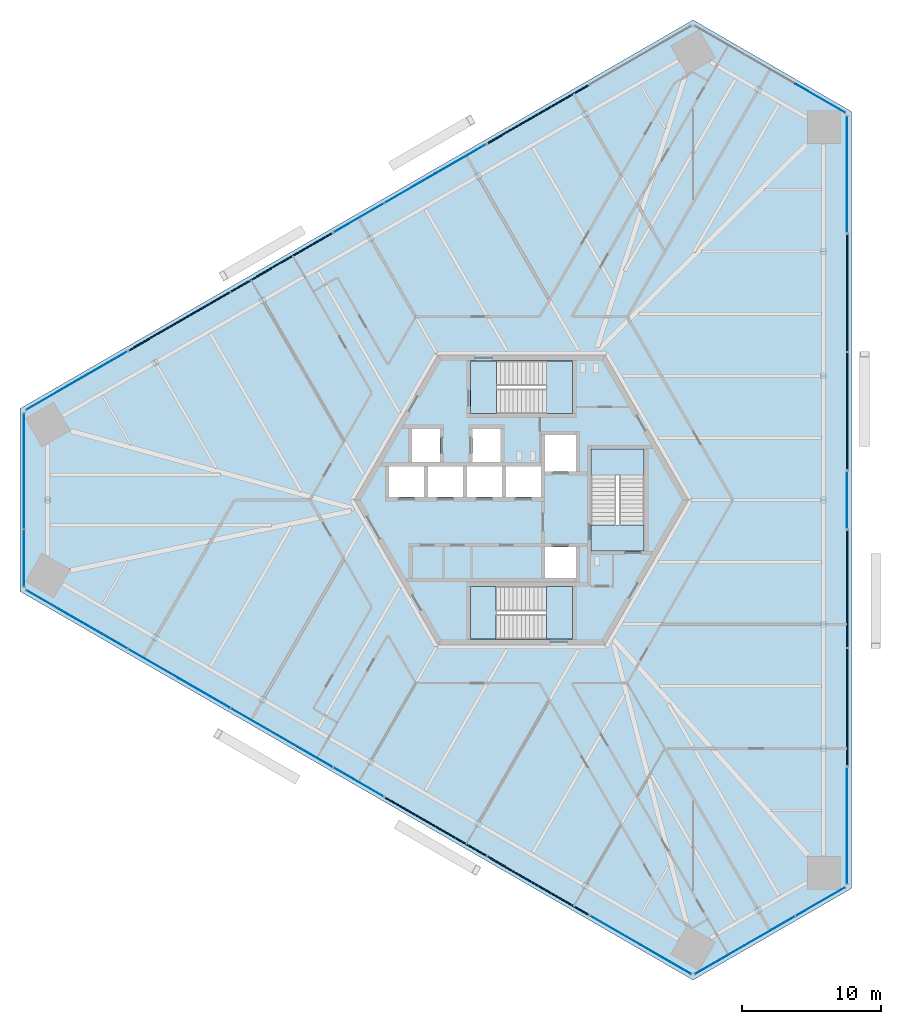
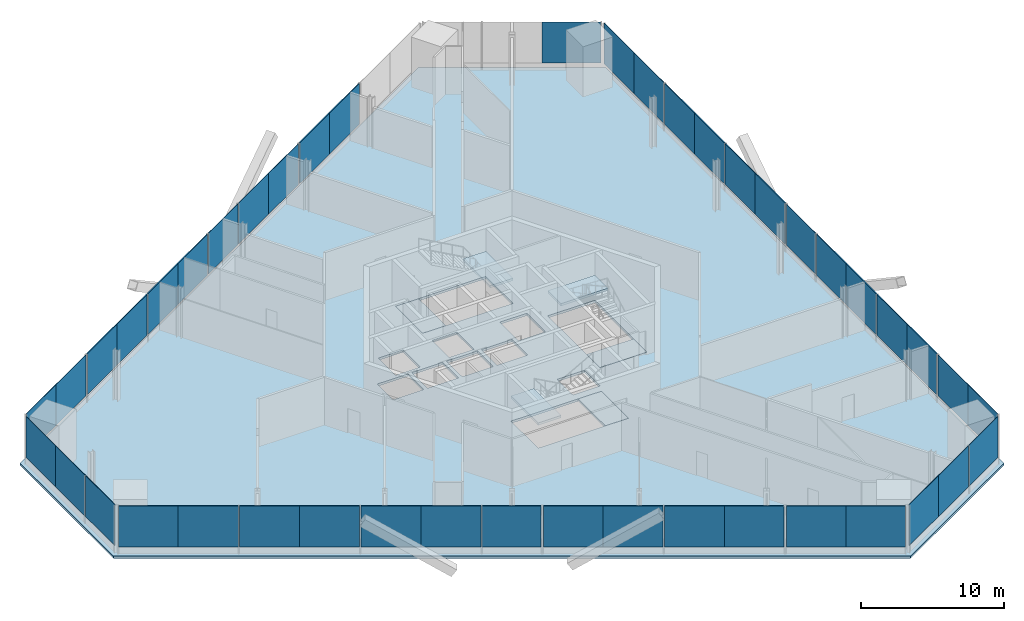
# One storey, part 9 of 16: 44 plates, 7 slabs, 18 elements without a shape of their own.
"""IFC4 building model written with IfcOpenShell, lengths in metres."""

from ifc_helpers import new_model, si_unit, direction, frame, origin, origin_2d, place, context, subcontext, project, spatial, polyline, rectangle, outline, extrude, source, transform, mapped, material, layer, layer_set, type_object, element, aggregate, save


model = new_model("IFC4")

# Units and contexts
model_context = context("Model", 3, precision=1e-05, world=origin(), true_north=direction((0.0, 1.0)))
body_context = subcontext(model_context, "Body", "Model", "MODEL_VIEW")
ifc_project = project(units=[si_unit("LENGTHUNIT", "METRE"), si_unit("AREAUNIT", "SQUARE_METRE"), si_unit("VOLUMEUNIT", "CUBIC_METRE"), si_unit("PLANEANGLEUNIT", "RADIAN"), si_unit("MASSUNIT", "GRAM", prefix="KILO")], contexts=[model_context])

# Site, building, storey
site_placement = place(None, origin())
site = spatial("IfcSite", under=ifc_project, at=site_placement, CompositionType="ELEMENT")
building_placement = place(site_placement, origin())
building = spatial("IfcBuilding", under=site, at=building_placement, Name="Triune Harvest Tower", CompositionType="ELEMENT")
storey_placement = place(building_placement, frame((0.0, 0.0, 37.5)))
storey = spatial("IfcBuildingStorey", under=building, at=storey_placement, Name="L08", CompositionType="ELEMENT", Elevation=37.5)

# Slab
ifc_material_1 = material(Name="Concrete 40 MPa", Category="concrete")
ifc_layer_1 = layer(ifc_material_1, 0.199951171875)
ifc_layer_set_1 = layer_set([ifc_layer_1], Name="Concrete 40 MPa")
slab_type_1 = type_object("IfcSlabType", Name="SL-3 Composite floor slab 200", PredefinedType="FLOOR", material=ifc_layer_set_1)
shared_shape_1 = source(origin(), body_context, "Body", "SweptSolid", [
    extrude(outline(polyline([(23.67138671875, -27.8798828125), (23.67138671875, 27.8798828125), (12.30908203125, 34.43994140625), (-35.98046875, 6.56005859375), (-35.98046875, -6.56005859375), (12.30908203125, -34.43994140625), (23.67138671875, -27.8798828125)]), holes=[polyline([(-7.0, 0.2099609375), (-7.0, 2.409912109375), (-9.5, 2.409912109375), (-9.5, 0.2099609375), (-7.0, 0.2099609375)]), polyline([(-4.199951171875, 0.2099609375), (-4.199951171875, 2.409912109375), (-6.699951171875, 2.409912109375), (-6.699951171875, 0.2099609375), (-4.199951171875, 0.2099609375)]), polyline([(-1.39990234375, 0.2099609375), (-1.39990234375, 2.409912109375), (-3.89990234375, 2.409912109375), (-3.89990234375, 0.2099609375), (-1.39990234375, 0.2099609375)]), polyline([(1.39990234375, 0.2099609375), (1.39990234375, 2.409912109375), (-1.10009765625, 2.409912109375), (-1.10009765625, 0.2099609375), (1.39990234375, 0.2099609375)]), polyline([(3.89990234375, 2.06005859375), (3.89990234375, 4.659912109375), (1.699951171875, 4.659912109375), (1.699951171875, 2.06005859375), (3.89990234375, 2.06005859375)]), polyline([(3.89990234375, -5.590087890625), (3.89990234375, -3.389892578125), (1.699951171875, -3.389892578125), (1.699951171875, -5.590087890625), (3.89990234375, -5.590087890625)]), polyline([(-5.85009765625, 2.7099609375), (-5.85009765625, 5.110107421875), (-7.85009765625, 5.110107421875), (-7.85009765625, 2.7099609375), (-5.85009765625, 2.7099609375)]), polyline([(-1.5, 2.7099609375), (-1.5, 5.110107421875), (-3.5, 5.110107421875), (-3.5, 2.7099609375), (-1.5, 2.7099609375)]), polyline([(3.64990234375, 6.18994140625), (3.64990234375, 9.989990234375), (-3.64990234375, 9.989990234375), (-3.64990234375, 6.18994140625), (3.64990234375, 6.18994140625)]), polyline([(3.64990234375, -9.989990234375), (3.64990234375, -6.18994140625), (-3.64990234375, -6.18994140625), (-3.64990234375, -9.989990234375), (3.64990234375, -9.989990234375)]), polyline([(8.800048828125, -3.64990234375), (8.800048828125, 3.64990234375), (5.0, 3.64990234375), (5.0, -3.64990234375), (8.800048828125, -3.64990234375)])]), origin(), (0.0, 0.0, 1.0), 0.199951171875),
])
slab_1_placement = place(storey_placement, frame((0.0, 0.0, -0.199951171875)))
element("IfcSlab", 1, at=slab_1_placement, inside=storey, type_object=slab_type_1, Name="slab/L08/1", PredefinedType="FLOOR", context=body_context, shape_type="MappedRepresentation", body=[
    mapped(shared_shape_1, transform((0.0, 0.0, 0.0), scale=1.0)),
])

# Stair, slabs
ifc_material_2 = material(Name="Concrete 40 MPa", Category="concrete")
stair_type = type_object("IfcStairType", Name="Exit stair 1800 half turn", PredefinedType="HALF_TURN_STAIR", material=ifc_material_2)
stair_1_placement = place(storey_placement, origin())
stair_1 = element("IfcStair", 2, at=stair_1_placement, inside=storey, type_object=stair_type, Name="Exit stair north", PredefinedType="HALF_TURN_STAIR")
ifc_material_3 = material(Name="Concrete 40 MPa", Category="concrete")
ifc_layer_2 = layer(ifc_material_3, 0.199951171875)
ifc_layer_set_2 = layer_set([ifc_layer_2], Name="Concrete 40 MPa")
slab_type_2 = type_object("IfcSlabType", Name="Stair landing 200", PredefinedType="LANDING", material=ifc_layer_set_2)
shared_shape_2 = source(origin(), body_context, "Body", "SweptSolid", [
    extrude(outline(polyline([(-3.64990234375, 6.18994140625), (-1.780029296875, 6.18994140625), (-1.780029296875, 9.989990234375), (-3.64990234375, 9.989990234375), (-3.64990234375, 6.18994140625)])), origin(), (0.0, 0.0, 1.0), 0.199951171875),
])
slab_2_placement = place(storey_placement, frame((0.0, 0.0, -0.199951171875)))
slab_2 = element("IfcSlab", 3, at=slab_2_placement, type_object=slab_type_2, Name="ST-1 landing 1", PredefinedType="LANDING", context=body_context, shape_type="MappedRepresentation", body=[
    mapped(shared_shape_2, transform((0.0, 0.0, 0.0), scale=1.0)),
])
shared_shape_3 = source(origin(), body_context, "Body", "SweptSolid", [
    extrude(outline(polyline([(1.81005859375, 6.18994140625), (3.64990234375, 6.18994140625), (3.64990234375, 9.989990234375), (1.81005859375, 9.989990234375), (1.81005859375, 6.18994140625)])), origin(), (0.0, 0.0, 1.0), 0.199951171875),
])
slab_3_placement = place(storey_placement, frame((0.0, 0.0, 1.949951171875)))
slab_3 = element("IfcSlab", 4, at=slab_3_placement, type_object=slab_type_2, Name="ST-1 landing 2", PredefinedType="LANDING", context=body_context, shape_type="MappedRepresentation", body=[
    mapped(shared_shape_3, transform((0.0, 0.0, 0.0), scale=1.0)),
])
aggregate(stair_1, [slab_2, slab_3])

stair_2_placement = place(storey_placement, origin())
stair_2 = element("IfcStair", 5, at=stair_2_placement, inside=storey, type_object=stair_type, Name="Exit stair south", PredefinedType="HALF_TURN_STAIR")
shared_shape_4 = source(origin(), body_context, "Body", "SweptSolid", [
    extrude(outline(polyline([(3.64990234375, -6.18994140625), (1.780029296875, -6.18994140625), (1.780029296875, -9.989990234375), (3.64990234375, -9.989990234375), (3.64990234375, -6.18994140625)])), origin(), (0.0, 0.0, 1.0), 0.199951171875),
])
slab_4_placement = place(storey_placement, frame((0.0, 0.0, -0.199951171875)))
slab_4 = element("IfcSlab", 6, at=slab_4_placement, type_object=slab_type_2, Name="ST-2 landing 1", PredefinedType="LANDING", context=body_context, shape_type="MappedRepresentation", body=[
    mapped(shared_shape_4, transform((0.0, 0.0, 0.0), scale=1.0)),
])
shared_shape_5 = source(origin(), body_context, "Body", "SweptSolid", [
    extrude(outline(polyline([(-1.81005859375, -6.18994140625), (-3.64990234375, -6.18994140625), (-3.64990234375, -9.989990234375), (-1.81005859375, -9.989990234375), (-1.81005859375, -6.18994140625)])), origin(), (0.0, 0.0, 1.0), 0.199951171875),
])
slab_5_placement = place(storey_placement, frame((0.0, 0.0, 1.949951171875)))
slab_5 = element("IfcSlab", 7, at=slab_5_placement, type_object=slab_type_2, Name="ST-2 landing 2", PredefinedType="LANDING", context=body_context, shape_type="MappedRepresentation", body=[
    mapped(shared_shape_5, transform((0.0, 0.0, 0.0), scale=1.0)),
])
aggregate(stair_2, [slab_4, slab_5])

stair_3_placement = place(storey_placement, origin())
stair_3 = element("IfcStair", 8, at=stair_3_placement, inside=storey, type_object=stair_type, Name="Exit stair east", PredefinedType="HALF_TURN_STAIR")
shared_shape_6 = source(origin(), body_context, "Body", "SweptSolid", [
    extrude(outline(polyline([(8.800048828125, -3.64990234375), (8.800048828125, -1.780029296875), (5.0, -1.780029296875), (5.0, -3.64990234375), (8.800048828125, -3.64990234375)])), origin(), (0.0, 0.0, 1.0), 0.199951171875),
])
slab_6_placement = place(storey_placement, frame((0.0, 0.0, -0.199951171875)))
slab_6 = element("IfcSlab", 9, at=slab_6_placement, type_object=slab_type_2, Name="ST-3 landing 1", PredefinedType="LANDING", context=body_context, shape_type="MappedRepresentation", body=[
    mapped(shared_shape_6, transform((0.0, 0.0, 0.0), scale=1.0)),
])
shared_shape_7 = source(origin(), body_context, "Body", "SweptSolid", [
    extrude(outline(polyline([(8.800048828125, 1.81005859375), (8.800048828125, 3.64990234375), (5.0, 3.64990234375), (5.0, 1.81005859375), (8.800048828125, 1.81005859375)])), origin(), (0.0, 0.0, 1.0), 0.199951171875),
])
slab_7_placement = place(storey_placement, frame((0.0, 0.0, 1.949951171875)))
slab_7 = element("IfcSlab", 10, at=slab_7_placement, type_object=slab_type_2, Name="ST-3 landing 2", PredefinedType="LANDING", context=body_context, shape_type="MappedRepresentation", body=[
    mapped(shared_shape_7, transform((0.0, 0.0, 0.0), scale=1.0)),
])
aggregate(stair_3, [slab_6, slab_7])

# Curtain wall, plate
ifc_material_4 = material(Name="Aluminium bronze anodised", Category="aluminium")
curtain_wall_type_1 = type_object("IfcCurtainWallType", Name="CW-3 Farm floor curtain wall", PredefinedType="NOTDEFINED", material=ifc_material_4)
curtain_wall_1_placement = place(storey_placement, origin())
curtain_wall_1 = element("IfcCurtainWall", 11, at=curtain_wall_1_placement, inside=storey, type_object=curtain_wall_type_1, Name="CW-3 B1-F2 L08 run 1")
ifc_material_5 = material(Name="Glass", Category="glass")
ifc_layer_3 = layer(ifc_material_5, 0.035888671875)
ifc_layer_set_3 = layer_set([ifc_layer_3], Name="Glass")
plate_type_1 = type_object("IfcPlateType", Name="GL-3 panel 36", PredefinedType="CURTAIN_PANEL", material=ifc_layer_set_3)
shared_shape_8 = source(origin(), body_context, "Body", "SweptSolid", [
    extrude(rectangle(XDim=4.117919921875, YDim=0.035888671875, at=origin_2d()), origin(), (0.0, 0.0, 1.0), 3.5),
])
plate_1_placement = place(storey_placement, frame((21.441162109375, 28.8212890625, 0.60009765625), z_axis=(0.0, 0.0, 1.0), x_axis=(-0.866026145592, 0.499998715149, 0.0)))
plate_1 = element("IfcPlate", 12, at=plate_1_placement, type_object=plate_type_1, Name="CW-3 panel B1-F2 1.1", PredefinedType="CURTAIN_PANEL", context=body_context, shape_type="MappedRepresentation", body=[
    mapped(shared_shape_8, transform((0.0, 0.0, 0.0), scale=1.0)),
])
aggregate(curtain_wall_1, [plate_1])

curtain_wall_2_placement = place(storey_placement, origin())
curtain_wall_2 = element("IfcCurtainWall", 13, at=curtain_wall_2_placement, inside=storey, type_object=curtain_wall_type_1, Name="CW-3 B1-F4 L08 run 1")
plate_2_placement = place(storey_placement, frame((-35.680419921875, 4.157958984375, 0.60009765625), z_axis=(0.0, 0.0, 1.0), x_axis=(0.0, -1.0, 0.0)))
plate_2 = element("IfcPlate", 14, at=plate_2_placement, type_object=plate_type_1, Name="CW-3 panel B1-F4 1.1", PredefinedType="CURTAIN_PANEL", context=body_context, shape_type="MappedRepresentation", body=[
    mapped(shared_shape_8, transform((0.0, 0.0, 0.0), scale=1.0)),
])

curtain_wall_3_placement = place(storey_placement, origin())
curtain_wall_3 = element("IfcCurtainWall", 15, at=curtain_wall_3_placement, inside=storey, type_object=curtain_wall_type_1, Name="CW-3 B1-F6 L08 run 1")
plate_3_placement = place(storey_placement, frame((14.239501953125, -32.979248046875, 0.60009765625), z_axis=(0.0, 0.0, 1.0), x_axis=(0.866026145592, 0.499998715149, 0.0)))
plate_3 = element("IfcPlate", 16, at=plate_3_placement, type_object=plate_type_1, Name="CW-3 panel B1-F6 1.1", PredefinedType="CURTAIN_PANEL", context=body_context, shape_type="MappedRepresentation", body=[
    mapped(shared_shape_8, transform((0.0, 0.0, 0.0), scale=1.0)),
])

# Plate
shared_shape_9 = source(origin(), body_context, "Body", "SweptSolid", [
    extrude(rectangle(XDim=4.157958984375, YDim=0.035888671875, at=origin_2d()), origin(), (0.0, 0.0, 1.0), 3.5),
])
plate_4_placement = place(storey_placement, frame((-35.680419921875, 0.02001953125, 0.60009765625), z_axis=(0.0, 0.0, 1.0), x_axis=(0.0, -1.0, 0.0)))
plate_4 = element("IfcPlate", 17, at=plate_4_placement, type_object=plate_type_1, Name="CW-3 panel B1-F4 1.2", PredefinedType="CURTAIN_PANEL", context=body_context, shape_type="MappedRepresentation", body=[
    mapped(shared_shape_9, transform((0.0, 0.0, 0.0), scale=1.0)),
])

plate_5_placement = place(storey_placement, frame((17.822998046875, -30.91015625, 0.60009765625), z_axis=(0.0, 0.0, 1.0), x_axis=(0.866026145592, 0.499998715149, 0.0)))
plate_5 = element("IfcPlate", 18, at=plate_5_placement, type_object=plate_type_1, Name="CW-3 panel B1-F6 1.2", PredefinedType="CURTAIN_PANEL", context=body_context, shape_type="MappedRepresentation", body=[
    mapped(shared_shape_9, transform((0.0, 0.0, 0.0), scale=1.0)),
])

shared_shape_10 = source(origin(), body_context, "Body", "SweptSolid", [
    extrude(rectangle(XDim=4.077880859375, YDim=0.035888671875, at=origin_2d()), origin(), (0.0, 0.0, 1.0), 3.5),
])
plate_6_placement = place(storey_placement, frame((-35.680419921875, -4.177978515625, 0.60009765625), z_axis=(0.0, 0.0, 1.0), x_axis=(0.0, -1.0, 0.0)))
plate_6 = element("IfcPlate", 19, at=plate_6_placement, type_object=plate_type_1, Name="CW-3 panel B1-F4 1.3", PredefinedType="CURTAIN_PANEL", context=body_context, shape_type="MappedRepresentation", body=[
    mapped(shared_shape_10, transform((0.0, 0.0, 0.0), scale=1.0)),
])

aggregate(curtain_wall_2, [plate_2, plate_4, plate_6])

plate_7_placement = place(storey_placement, frame((21.45849609375, -28.811279296875, 0.60009765625), z_axis=(0.0, 0.0, 1.0), x_axis=(0.866026145592, 0.499998715149, 0.0)))
plate_7 = element("IfcPlate", 20, at=plate_7_placement, type_object=plate_type_1, Name="CW-3 panel B1-F6 1.3", PredefinedType="CURTAIN_PANEL", context=body_context, shape_type="MappedRepresentation", body=[
    mapped(shared_shape_10, transform((0.0, 0.0, 0.0), scale=1.0)),
])

aggregate(curtain_wall_3, [plate_3, plate_5, plate_7])

# Curtain wall, plates
ifc_material_6 = material(Name="Aluminium bronze anodised", Category="aluminium")
curtain_wall_type_2 = type_object("IfcCurtainWallType", Name="CW-8 Farm floor curtain wall with insulated spandrel infill", PredefinedType="NOTDEFINED", material=ifc_material_6)
curtain_wall_4_placement = place(storey_placement, origin())
curtain_wall_4 = element("IfcCurtainWall", 21, at=curtain_wall_4_placement, inside=storey, type_object=curtain_wall_type_2, Name="CW-8 B1-F1 L08 run 1001")
ifc_material_7 = material(Name="Insulated spandrel panel, bronze aluminium pan", Category="aluminium")
ifc_layer_4 = layer(ifc_material_7, 0.080078125)
ifc_layer_set_4 = layer_set([ifc_layer_4], Name="Insulated spandrel panel, bronze aluminium pan")
plate_type_2 = type_object("IfcPlateType", Name="SP-1 insulated spandrel panel 80", PredefinedType="CURTAIN_PANEL", material=ifc_layer_set_4)
shared_shape_11 = source(origin(), body_context, "Body", "SweptSolid", [
    extrude(rectangle(XDim=4.168701171875, YDim=0.080078125, at=origin_2d()), origin(), (0.0, 0.0, 1.0), 3.5),
])
plate_8_placement = place(storey_placement, frame((23.371337890625, -16.954833984375, 0.60009765625), z_axis=(0.0, 0.0, 1.0), x_axis=(0.0, 1.0, 0.0)))
plate_8 = element("IfcPlate", 22, at=plate_8_placement, type_object=plate_type_2, Name="CW-8 panel B1-F1 1001.1", PredefinedType="CURTAIN_PANEL", context=body_context, shape_type="MappedRepresentation", body=[
    mapped(shared_shape_11, transform((0.0, 0.0, 0.0), scale=1.0)),
])
plate_9_placement = place(storey_placement, frame((23.371337890625, -4.288818359375, 0.60009765625), z_axis=(0.0, 0.0, 1.0), x_axis=(0.0, 1.0, 0.0)))
plate_9 = element("IfcPlate", 23, at=plate_9_placement, type_object=plate_type_2, Name="CW-8 panel B1-F1 1001.4", PredefinedType="CURTAIN_PANEL", context=body_context, shape_type="MappedRepresentation", body=[
    mapped(shared_shape_11, transform((0.0, 0.0, 0.0), scale=1.0)),
])

curtain_wall_5_placement = place(storey_placement, origin())
curtain_wall_5 = element("IfcCurtainWall", 24, at=curtain_wall_5_placement, inside=storey, type_object=curtain_wall_type_2, Name="CW-8 B1-F1 L08 run 3001")
plate_10_placement = place(storey_placement, frame((23.371337890625, 4.288818359375, 0.60009765625), z_axis=(0.0, 0.0, 1.0), x_axis=(0.0, 1.0, 0.0)))
plate_10 = element("IfcPlate", 25, at=plate_10_placement, type_object=plate_type_2, Name="CW-8 panel B1-F1 3001.1", PredefinedType="CURTAIN_PANEL", context=body_context, shape_type="MappedRepresentation", body=[
    mapped(shared_shape_11, transform((0.0, 0.0, 0.0), scale=1.0)),
])
plate_11_placement = place(storey_placement, frame((23.371337890625, 16.954833984375, 0.60009765625), z_axis=(0.0, 0.0, 1.0), x_axis=(0.0, 1.0, 0.0)))
plate_11 = element("IfcPlate", 26, at=plate_11_placement, type_object=plate_type_2, Name="CW-8 panel B1-F1 3001.4", PredefinedType="CURTAIN_PANEL", context=body_context, shape_type="MappedRepresentation", body=[
    mapped(shared_shape_11, transform((0.0, 0.0, 0.0), scale=1.0)),
])

curtain_wall_6_placement = place(storey_placement, origin())
curtain_wall_6 = element("IfcCurtainWall", 27, at=curtain_wall_6_placement, inside=storey, type_object=curtain_wall_type_2, Name="CW-8 B1-F3 L08 run 1001")
plate_12_placement = place(storey_placement, frame((2.997802734375, 28.7177734375, 0.60009765625), z_axis=(0.0, 0.0, 1.0), x_axis=(-0.866021359287, -0.500007005209, 0.0)))
plate_12 = element("IfcPlate", 28, at=plate_12_placement, type_object=plate_type_2, Name="CW-8 panel B1-F3 1001.1", PredefinedType="CURTAIN_PANEL", context=body_context, shape_type="MappedRepresentation", body=[
    mapped(shared_shape_11, transform((0.0, 0.0, 0.0), scale=1.0)),
])
plate_13_placement = place(storey_placement, frame((-0.612548828125, 26.63330078125, 0.60009765625), z_axis=(0.0, 0.0, 1.0), x_axis=(-0.866021359287, -0.500007005209, 0.0)))
plate_13 = element("IfcPlate", 29, at=plate_13_placement, type_object=plate_type_2, Name="CW-8 panel B1-F3 1001.2", PredefinedType="CURTAIN_PANEL", context=body_context, shape_type="MappedRepresentation", body=[
    mapped(shared_shape_11, transform((0.0, 0.0, 0.0), scale=1.0)),
])
aggregate(curtain_wall_6, [plate_12, plate_13])

curtain_wall_7_placement = place(storey_placement, origin())
curtain_wall_7 = element("IfcCurtainWall", 30, at=curtain_wall_7_placement, inside=storey, type_object=curtain_wall_type_2, Name="CW-8 B1-F3 L08 run 3001")
plate_14_placement = place(storey_placement, frame((-15.39990234375, 18.095703125, 0.60009765625), z_axis=(0.0, 0.0, 1.0), x_axis=(-0.866023907196, -0.500002592159, 0.0)))
plate_14 = element("IfcPlate", 31, at=plate_14_placement, type_object=plate_type_2, Name="CW-8 panel B1-F3 3001.1", PredefinedType="CURTAIN_PANEL", context=body_context, shape_type="MappedRepresentation", body=[
    mapped(shared_shape_11, transform((0.0, 0.0, 0.0), scale=1.0)),
])
plate_15_placement = place(storey_placement, frame((-26.369140625, 11.7626953125, 0.60009765625), z_axis=(0.0, 0.0, 1.0), x_axis=(-0.866023907196, -0.500002592159, 0.0)))
plate_15 = element("IfcPlate", 32, at=plate_15_placement, type_object=plate_type_2, Name="CW-8 panel B1-F3 3001.4", PredefinedType="CURTAIN_PANEL", context=body_context, shape_type="MappedRepresentation", body=[
    mapped(shared_shape_11, transform((0.0, 0.0, 0.0), scale=1.0)),
])

curtain_wall_8_placement = place(storey_placement, origin())
curtain_wall_8 = element("IfcCurtainWall", 33, at=curtain_wall_8_placement, inside=storey, type_object=curtain_wall_type_2, Name="CW-8 B1-F5 L08 run 1001")
plate_16_placement = place(storey_placement, frame((-7.971435546875, -22.384521484375, 0.60009765625), z_axis=(0.0, 0.0, 1.0), x_axis=(0.866023907196, -0.500002592159, 0.0)))
plate_16 = element("IfcPlate", 34, at=plate_16_placement, type_object=plate_type_2, Name="CW-8 panel B1-F5 1001.1", PredefinedType="CURTAIN_PANEL", context=body_context, shape_type="MappedRepresentation", body=[
    mapped(shared_shape_11, transform((0.0, 0.0, 0.0), scale=1.0)),
])
plate_17_placement = place(storey_placement, frame((2.997802734375, -28.7177734375, 0.60009765625), z_axis=(0.0, 0.0, 1.0), x_axis=(0.866023907196, -0.500002592159, 0.0)))
plate_17 = element("IfcPlate", 35, at=plate_17_placement, type_object=plate_type_2, Name="CW-8 panel B1-F5 1001.4", PredefinedType="CURTAIN_PANEL", context=body_context, shape_type="MappedRepresentation", body=[
    mapped(shared_shape_11, transform((0.0, 0.0, 0.0), scale=1.0)),
])

# Plate
shared_shape_12 = source(origin(), body_context, "Body", "SweptSolid", [
    extrude(rectangle(XDim=4.208740234375, YDim=0.080078125, at=origin_2d()), origin(), (0.0, 0.0, 1.0), 3.5),
])
plate_18_placement = place(storey_placement, frame((23.371337890625, -12.76611328125, 0.60009765625), z_axis=(0.0, 0.0, 1.0), x_axis=(0.0, 1.0, 0.0)))
plate_18 = element("IfcPlate", 36, at=plate_18_placement, type_object=plate_type_2, Name="CW-8 panel B1-F1 1001.2", PredefinedType="CURTAIN_PANEL", context=body_context, shape_type="MappedRepresentation", body=[
    mapped(shared_shape_12, transform((0.0, 0.0, 0.0), scale=1.0)),
])

plate_19_placement = place(storey_placement, frame((23.371337890625, -8.4775390625, 0.60009765625), z_axis=(0.0, 0.0, 1.0), x_axis=(0.0, 1.0, 0.0)))
plate_19 = element("IfcPlate", 37, at=plate_19_placement, type_object=plate_type_2, Name="CW-8 panel B1-F1 1001.3", PredefinedType="CURTAIN_PANEL", context=body_context, shape_type="MappedRepresentation", body=[
    mapped(shared_shape_12, transform((0.0, 0.0, 0.0), scale=1.0)),
])

aggregate(curtain_wall_4, [plate_8, plate_18, plate_19, plate_9])

plate_20_placement = place(storey_placement, frame((23.371337890625, 8.4775390625, 0.60009765625), z_axis=(0.0, 0.0, 1.0), x_axis=(0.0, 1.0, 0.0)))
plate_20 = element("IfcPlate", 38, at=plate_20_placement, type_object=plate_type_2, Name="CW-8 panel B1-F1 3001.2", PredefinedType="CURTAIN_PANEL", context=body_context, shape_type="MappedRepresentation", body=[
    mapped(shared_shape_12, transform((0.0, 0.0, 0.0), scale=1.0)),
])

plate_21_placement = place(storey_placement, frame((23.371337890625, 12.76611328125, 0.60009765625), z_axis=(0.0, 0.0, 1.0), x_axis=(0.0, 1.0, 0.0)))
plate_21 = element("IfcPlate", 39, at=plate_21_placement, type_object=plate_type_2, Name="CW-8 panel B1-F1 3001.3", PredefinedType="CURTAIN_PANEL", context=body_context, shape_type="MappedRepresentation", body=[
    mapped(shared_shape_12, transform((0.0, 0.0, 0.0), scale=1.0)),
])

aggregate(curtain_wall_5, [plate_10, plate_20, plate_21, plate_11])

plate_22_placement = place(storey_placement, frame((-19.02734375, 16.00146484375, 0.60009765625), z_axis=(0.0, 0.0, 1.0), x_axis=(-0.866023907196, -0.500002592159, 0.0)))
plate_22 = element("IfcPlate", 40, at=plate_22_placement, type_object=plate_type_2, Name="CW-8 panel B1-F3 3001.2", PredefinedType="CURTAIN_PANEL", context=body_context, shape_type="MappedRepresentation", body=[
    mapped(shared_shape_12, transform((0.0, 0.0, 0.0), scale=1.0)),
])

plate_23_placement = place(storey_placement, frame((-22.741455078125, 13.857177734375, 0.60009765625), z_axis=(0.0, 0.0, 1.0), x_axis=(-0.866023907196, -0.500002592159, 0.0)))
plate_23 = element("IfcPlate", 41, at=plate_23_placement, type_object=plate_type_2, Name="CW-8 panel B1-F3 3001.3", PredefinedType="CURTAIN_PANEL", context=body_context, shape_type="MappedRepresentation", body=[
    mapped(shared_shape_12, transform((0.0, 0.0, 0.0), scale=1.0)),
])

aggregate(curtain_wall_7, [plate_14, plate_22, plate_23, plate_15])

plate_24_placement = place(storey_placement, frame((-4.343994140625, -24.47900390625, 0.60009765625), z_axis=(0.0, 0.0, 1.0), x_axis=(0.866023907196, -0.500002592159, 0.0)))
plate_24 = element("IfcPlate", 42, at=plate_24_placement, type_object=plate_type_2, Name="CW-8 panel B1-F5 1001.2", PredefinedType="CURTAIN_PANEL", context=body_context, shape_type="MappedRepresentation", body=[
    mapped(shared_shape_12, transform((0.0, 0.0, 0.0), scale=1.0)),
])

plate_25_placement = place(storey_placement, frame((-0.6298828125, -26.623291015625, 0.60009765625), z_axis=(0.0, 0.0, 1.0), x_axis=(0.866023907196, -0.500002592159, 0.0)))
plate_25 = element("IfcPlate", 43, at=plate_25_placement, type_object=plate_type_2, Name="CW-8 panel B1-F5 1001.3", PredefinedType="CURTAIN_PANEL", context=body_context, shape_type="MappedRepresentation", body=[
    mapped(shared_shape_12, transform((0.0, 0.0, 0.0), scale=1.0)),
])

aggregate(curtain_wall_8, [plate_16, plate_24, plate_25, plate_17])

# Curtain wall, plates
curtain_wall_9_placement = place(storey_placement, origin())
curtain_wall_9 = element("IfcCurtainWall", 44, at=curtain_wall_9_placement, inside=storey, type_object=curtain_wall_type_1, Name="CW-3 B1-F1 L08 run 1")
shared_shape_13 = source(origin(), body_context, "Body", "SweptSolid", [
    extrude(rectangle(XDim=4.168701171875, YDim=0.035888671875, at=origin_2d()), origin(), (0.0, 0.0, 1.0), 3.5),
])
plate_26_placement = place(storey_placement, frame((23.371337890625, -25.452392578125, 0.60009765625), z_axis=(0.0, 0.0, 1.0), x_axis=(0.0, 1.0, 0.0)))
plate_26 = element("IfcPlate", 45, at=plate_26_placement, type_object=plate_type_1, Name="CW-3 panel B1-F1 1.1", PredefinedType="CURTAIN_PANEL", context=body_context, shape_type="MappedRepresentation", body=[
    mapped(shared_shape_13, transform((0.0, 0.0, 0.0), scale=1.0)),
])
plate_27_placement = place(storey_placement, frame((23.371337890625, -21.28369140625, 0.60009765625), z_axis=(0.0, 0.0, 1.0), x_axis=(0.0, 1.0, 0.0)))
plate_27 = element("IfcPlate", 46, at=plate_27_placement, type_object=plate_type_1, Name="CW-3 panel B1-F1 1.2", PredefinedType="CURTAIN_PANEL", context=body_context, shape_type="MappedRepresentation", body=[
    mapped(shared_shape_13, transform((0.0, 0.0, 0.0), scale=1.0)),
])
aggregate(curtain_wall_9, [plate_26, plate_27])

curtain_wall_10_placement = place(storey_placement, origin())
curtain_wall_10 = element("IfcCurtainWall", 47, at=curtain_wall_10_placement, inside=storey, type_object=curtain_wall_type_1, Name="CW-3 B1-F1 L08 run 4001")
plate_28_placement = place(storey_placement, frame((23.371337890625, 21.28369140625, 0.60009765625), z_axis=(0.0, 0.0, 1.0), x_axis=(0.0, 1.0, 0.0)))
plate_28 = element("IfcPlate", 48, at=plate_28_placement, type_object=plate_type_1, Name="CW-3 panel B1-F1 4001.1", PredefinedType="CURTAIN_PANEL", context=body_context, shape_type="MappedRepresentation", body=[
    mapped(shared_shape_13, transform((0.0, 0.0, 0.0), scale=1.0)),
])
plate_29_placement = place(storey_placement, frame((23.371337890625, 25.452392578125, 0.60009765625), z_axis=(0.0, 0.0, 1.0), x_axis=(0.0, 1.0, 0.0)))
plate_29 = element("IfcPlate", 49, at=plate_29_placement, type_object=plate_type_1, Name="CW-3 panel B1-F1 4001.2", PredefinedType="CURTAIN_PANEL", context=body_context, shape_type="MappedRepresentation", body=[
    mapped(shared_shape_13, transform((0.0, 0.0, 0.0), scale=1.0)),
])
aggregate(curtain_wall_10, [plate_28, plate_29])

# Curtain wall, plate
curtain_wall_11_placement = place(storey_placement, origin())
curtain_wall_11 = element("IfcCurtainWall", 50, at=curtain_wall_11_placement, inside=storey, type_object=curtain_wall_type_1, Name="CW-3 B1-F3 L08 run 2001")
plate_30_placement = place(storey_placement, frame((-4.361328125, 24.468994140625, 0.60009765625), z_axis=(0.0, 0.0, 1.0), x_axis=(-0.866026717857, -0.499997723952, 0.0)))
plate_30 = element("IfcPlate", 51, at=plate_30_placement, type_object=plate_type_1, Name="CW-3 panel B1-F3 2001.1", PredefinedType="CURTAIN_PANEL", context=body_context, shape_type="MappedRepresentation", body=[
    mapped(shared_shape_13, transform((0.0, 0.0, 0.0), scale=1.0)),
])

# Curtain wall, plates
curtain_wall_12_placement = place(storey_placement, origin())
curtain_wall_12 = element("IfcCurtainWall", 52, at=curtain_wall_12_placement, inside=storey, type_object=curtain_wall_type_1, Name="CW-3 B1-F3 L08 run 4001")
plate_31_placement = place(storey_placement, frame((-30.117919921875, 9.598388671875, 0.60009765625), z_axis=(0.0, 0.0, 1.0), x_axis=(-0.866028152342, -0.499995239328, 0.0)))
plate_31 = element("IfcPlate", 53, at=plate_31_placement, type_object=plate_type_1, Name="CW-3 panel B1-F3 4001.1", PredefinedType="CURTAIN_PANEL", context=body_context, shape_type="MappedRepresentation", body=[
    mapped(shared_shape_13, transform((0.0, 0.0, 0.0), scale=1.0)),
])
plate_32_placement = place(storey_placement, frame((-33.728271484375, 7.513916015625, 0.60009765625), z_axis=(0.0, 0.0, 1.0), x_axis=(-0.866028152342, -0.499995239328, 0.0)))
plate_32 = element("IfcPlate", 54, at=plate_32_placement, type_object=plate_type_1, Name="CW-3 panel B1-F3 4001.2", PredefinedType="CURTAIN_PANEL", context=body_context, shape_type="MappedRepresentation", body=[
    mapped(shared_shape_13, transform((0.0, 0.0, 0.0), scale=1.0)),
])
aggregate(curtain_wall_12, [plate_31, plate_32])

# Curtain wall, plate
curtain_wall_13_placement = place(storey_placement, origin())
curtain_wall_13 = element("IfcCurtainWall", 55, at=curtain_wall_13_placement, inside=storey, type_object=curtain_wall_type_1, Name="CW-3 B1-F5 L08 run 1")
plate_33_placement = place(storey_placement, frame((-33.728271484375, -7.513916015625, 0.60009765625), z_axis=(0.0, 0.0, 1.0), x_axis=(0.866025596704, -0.499999665853, 0.0)))
plate_33 = element("IfcPlate", 56, at=plate_33_placement, type_object=plate_type_1, Name="CW-3 panel B1-F5 1.1", PredefinedType="CURTAIN_PANEL", context=body_context, shape_type="MappedRepresentation", body=[
    mapped(shared_shape_13, transform((0.0, 0.0, 0.0), scale=1.0)),
])

# Curtain wall, plates
curtain_wall_14_placement = place(storey_placement, origin())
curtain_wall_14 = element("IfcCurtainWall", 57, at=curtain_wall_14_placement, inside=storey, type_object=curtain_wall_type_1, Name="CW-3 B1-F5 L08 run 2001")
plate_34_placement = place(storey_placement, frame((6.74658203125, -30.882080078125, 0.60009765625), z_axis=(0.0, 0.0, 1.0), x_axis=(0.866028152342, -0.499995239328, 0.0)))
plate_34 = element("IfcPlate", 58, at=plate_34_placement, type_object=plate_type_1, Name="CW-3 panel B1-F5 2001.1", PredefinedType="CURTAIN_PANEL", context=body_context, shape_type="MappedRepresentation", body=[
    mapped(shared_shape_13, transform((0.0, 0.0, 0.0), scale=1.0)),
])
plate_35_placement = place(storey_placement, frame((10.356689453125, -32.96630859375, 0.60009765625), z_axis=(0.0, 0.0, 1.0), x_axis=(0.866028152342, -0.499995239328, 0.0)))
plate_35 = element("IfcPlate", 59, at=plate_35_placement, type_object=plate_type_1, Name="CW-3 panel B1-F5 2001.2", PredefinedType="CURTAIN_PANEL", context=body_context, shape_type="MappedRepresentation", body=[
    mapped(shared_shape_13, transform((0.0, 0.0, 0.0), scale=1.0)),
])
aggregate(curtain_wall_14, [plate_34, plate_35])

# Plate
shared_shape_14 = source(origin(), body_context, "Body", "SweptSolid", [
    extrude(rectangle(XDim=4.208740234375, YDim=0.035888671875, at=origin_2d()), origin(), (0.0, 0.0, 1.0), 3.5),
])
plate_36_placement = place(storey_placement, frame((-7.98876953125, 22.37451171875, 0.60009765625), z_axis=(0.0, 0.0, 1.0), x_axis=(-0.866026717857, -0.499997723952, 0.0)))
plate_36 = element("IfcPlate", 60, at=plate_36_placement, type_object=plate_type_1, Name="CW-3 panel B1-F3 2001.2", PredefinedType="CURTAIN_PANEL", context=body_context, shape_type="MappedRepresentation", body=[
    mapped(shared_shape_14, transform((0.0, 0.0, 0.0), scale=1.0)),
])

plate_37_placement = place(storey_placement, frame((-30.1005859375, -9.6083984375, 0.60009765625), z_axis=(0.0, 0.0, 1.0), x_axis=(0.866025596704, -0.499999665853, 0.0)))
plate_37 = element("IfcPlate", 61, at=plate_37_placement, type_object=plate_type_1, Name="CW-3 panel B1-F5 1.2", PredefinedType="CURTAIN_PANEL", context=body_context, shape_type="MappedRepresentation", body=[
    mapped(shared_shape_14, transform((0.0, 0.0, 0.0), scale=1.0)),
])

plate_38_placement = place(storey_placement, frame((-26.386474609375, -11.752685546875, 0.60009765625), z_axis=(0.0, 0.0, 1.0), x_axis=(0.866025596704, -0.499999665853, 0.0)))
plate_38 = element("IfcPlate", 62, at=plate_38_placement, type_object=plate_type_1, Name="CW-3 panel B1-F5 1.3", PredefinedType="CURTAIN_PANEL", context=body_context, shape_type="MappedRepresentation", body=[
    mapped(shared_shape_14, transform((0.0, 0.0, 0.0), scale=1.0)),
])

plate_39_placement = place(storey_placement, frame((-22.741455078125, -13.857177734375, 0.60009765625), z_axis=(0.0, 0.0, 1.0), x_axis=(0.866025596704, -0.499999665853, 0.0)))
plate_39 = element("IfcPlate", 63, at=plate_39_placement, type_object=plate_type_1, Name="CW-3 panel B1-F5 1.4", PredefinedType="CURTAIN_PANEL", context=body_context, shape_type="MappedRepresentation", body=[
    mapped(shared_shape_14, transform((0.0, 0.0, 0.0), scale=1.0)),
])

plate_40_placement = place(storey_placement, frame((-19.02734375, -16.00146484375, 0.60009765625), z_axis=(0.0, 0.0, 1.0), x_axis=(0.866025596704, -0.499999665853, 0.0)))
plate_40 = element("IfcPlate", 64, at=plate_40_placement, type_object=plate_type_1, Name="CW-3 panel B1-F5 1.5", PredefinedType="CURTAIN_PANEL", context=body_context, shape_type="MappedRepresentation", body=[
    mapped(shared_shape_14, transform((0.0, 0.0, 0.0), scale=1.0)),
])

plate_41_placement = place(storey_placement, frame((-15.382568359375, -18.10595703125, 0.60009765625), z_axis=(0.0, 0.0, 1.0), x_axis=(0.866025596704, -0.499999665853, 0.0)))
plate_41 = element("IfcPlate", 65, at=plate_41_placement, type_object=plate_type_1, Name="CW-3 panel B1-F5 1.6", PredefinedType="CURTAIN_PANEL", context=body_context, shape_type="MappedRepresentation", body=[
    mapped(shared_shape_14, transform((0.0, 0.0, 0.0), scale=1.0)),
])

shared_shape_15 = source(origin(), body_context, "Body", "SweptSolid", [
    extrude(rectangle(XDim=4.128662109375, YDim=0.035888671875, at=origin_2d()), origin(), (0.0, 0.0, 1.0), 3.5),
])
plate_42_placement = place(storey_placement, frame((-11.66845703125, 20.250244140625, 0.60009765625), z_axis=(0.0, 0.0, 1.0), x_axis=(-0.866026717857, -0.499997723952, 0.0)))
plate_42 = element("IfcPlate", 66, at=plate_42_placement, type_object=plate_type_1, Name="CW-3 panel B1-F3 2001.3", PredefinedType="CURTAIN_PANEL", context=body_context, shape_type="MappedRepresentation", body=[
    mapped(shared_shape_15, transform((0.0, 0.0, 0.0), scale=1.0)),
])

aggregate(curtain_wall_11, [plate_30, plate_36, plate_42])

plate_43_placement = place(storey_placement, frame((-11.702880859375, -20.230224609375, 0.60009765625), z_axis=(0.0, 0.0, 1.0), x_axis=(0.866025596704, -0.499999665853, 0.0)))
plate_43 = element("IfcPlate", 67, at=plate_43_placement, type_object=plate_type_1, Name="CW-3 panel B1-F5 1.7", PredefinedType="CURTAIN_PANEL", context=body_context, shape_type="MappedRepresentation", body=[
    mapped(shared_shape_15, transform((0.0, 0.0, 0.0), scale=1.0)),
])

aggregate(curtain_wall_13, [plate_33, plate_37, plate_38, plate_39, plate_40, plate_41, plate_43])

# Curtain wall, plate
curtain_wall_15_placement = place(storey_placement, origin())
curtain_wall_15 = element("IfcCurtainWall", 68, at=curtain_wall_15_placement, inside=storey, type_object=curtain_wall_type_1, Name="CW-3 B1-F1 L08 run 2001")
shared_shape_16 = source(origin(), body_context, "Body", "SweptSolid", [
    extrude(rectangle(XDim=4.0888671875, YDim=0.035888671875, at=origin_2d()), origin(), (0.0, 0.0, 1.0), 3.5),
])
plate_44_placement = place(storey_placement, frame((23.371337890625, 0.0, 0.60009765625), z_axis=(0.0, 0.0, 1.0), x_axis=(0.0, 1.0, 0.0)))
plate_44 = element("IfcPlate", 69, at=plate_44_placement, type_object=plate_type_1, Name="CW-3 panel B1-F1 2001.1", PredefinedType="CURTAIN_PANEL", context=body_context, shape_type="MappedRepresentation", body=[
    mapped(shared_shape_16, transform((0.0, 0.0, 0.0), scale=1.0)),
])
aggregate(curtain_wall_15, [plate_44])

save(model, "model.ifc")
